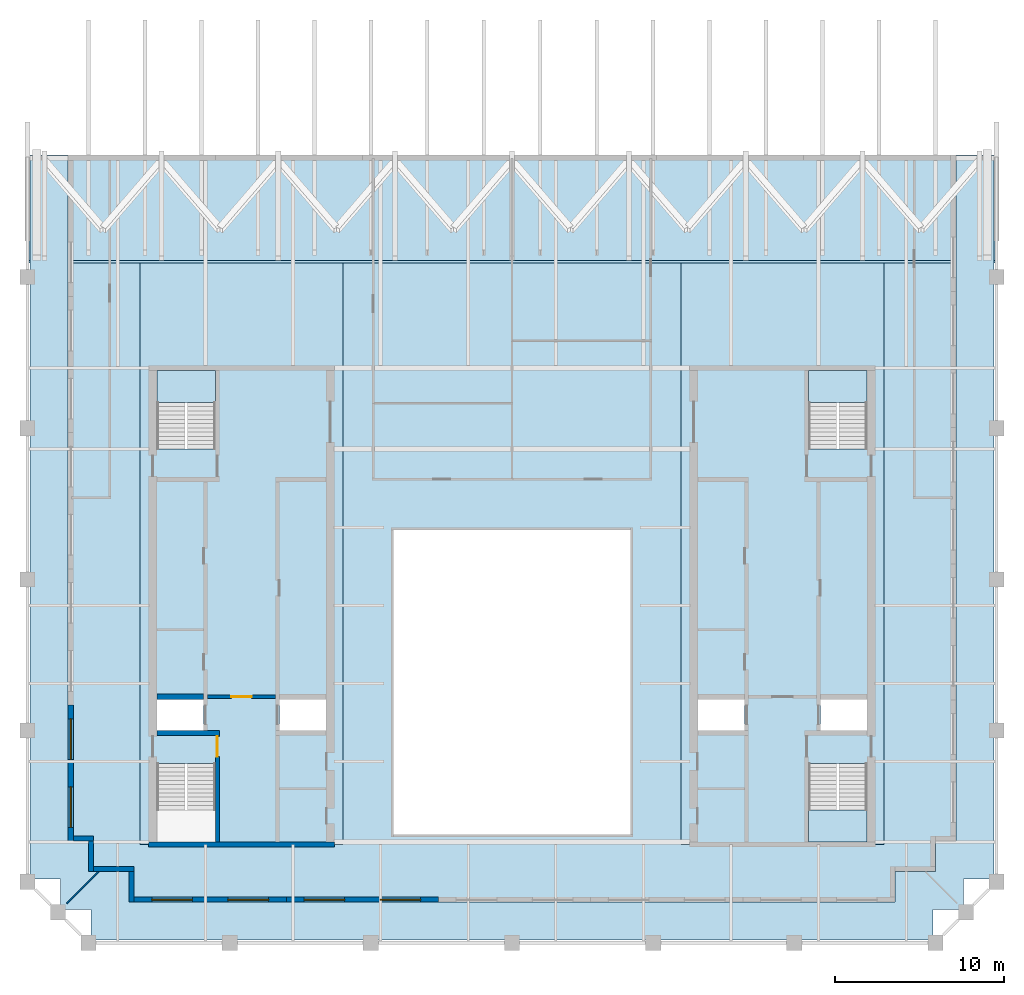
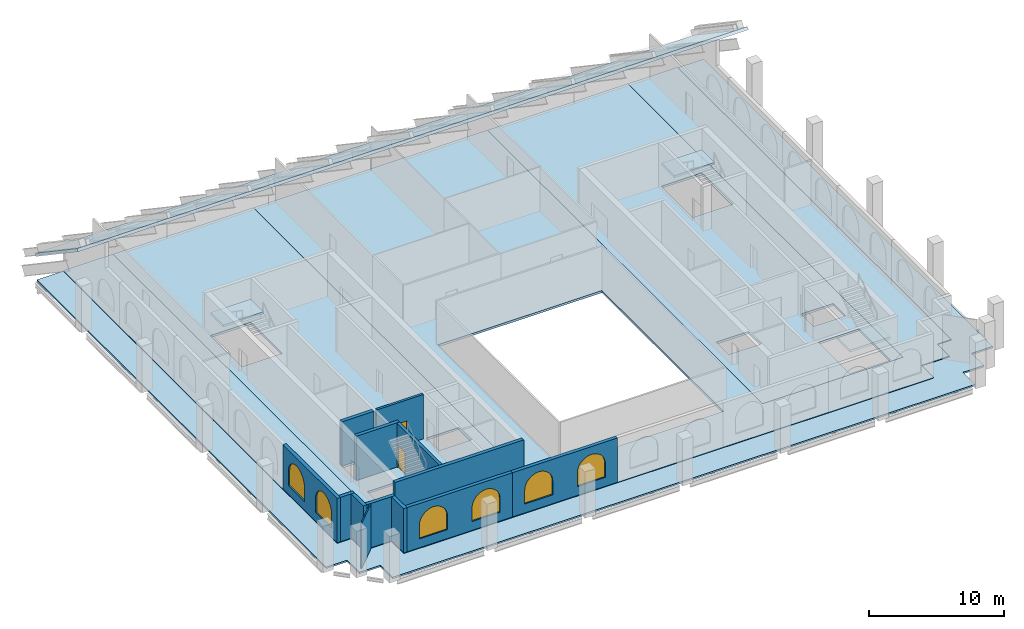
# One storey, part 2 of 8: 13 walls, 8 slabs, 6 windows, 2 doors, 8 openings, 3 elements without a shape of their own.
"""IFC4 building model written with IfcOpenShell, lengths in metres."""

from ifc_helpers import new_model, si_unit, direction, frame, frame_2d, origin, place, context, subcontext, project, spatial, polyline, rectangle, outline, extrude, material, layer, layer_set, type_object, element, fill, aggregate, save


model = new_model("IFC4")

# Units and contexts
model_context = context("Model", 3, precision=1e-05, world=origin(), true_north=direction((0.0, 1.0)))
body_context = subcontext(model_context, "Body", "Model", "MODEL_VIEW")
ifc_project = project(units=[si_unit("LENGTHUNIT", "METRE"), si_unit("AREAUNIT", "SQUARE_METRE"), si_unit("VOLUMEUNIT", "CUBIC_METRE"), si_unit("PLANEANGLEUNIT", "RADIAN"), si_unit("MASSUNIT", "GRAM", prefix="KILO")], contexts=[model_context])

# Site, building, storey
site_placement = place(None, origin())
site = spatial("IfcSite", under=ifc_project, at=site_placement, CompositionType="ELEMENT")
building_placement = place(site_placement, origin())
building = spatial("IfcBuilding", under=site, at=building_placement, Name="Ogive Exchange Tower", CompositionType="ELEMENT")
storey_placement = place(building_placement, frame((0.0, 0.0, 381.60009765625)))
storey = spatial("IfcBuildingStorey", under=building, at=storey_placement, Name="C04", CompositionType="ELEMENT", Elevation=381.60009765625)

# Slabs
ifc_material_1 = material(Name="Concrete C50/60", Category="concrete")
ifc_layer_1 = layer(ifc_material_1, 0.199951171875)
ifc_layer_set_1 = layer_set([ifc_layer_1], Name="Composite floor slab 200")
slab_type_1 = type_object("IfcSlabType", Name="Composite floor slab 200", PredefinedType="FLOOR", material=ifc_layer_set_1)
slab_1_placement = place(storey_placement, frame((0.0, 0.0, -0.2001953125)))
element("IfcSlab", 1, at=slab_1_placement, inside=storey, type_object=slab_type_1, Name="Composite floor slab", PredefinedType="FLOOR", context=body_context, shape_type="SweptSolid", body=[
    extrude(outline(polyline([(-24.449951171875, -2.39990234375), (-24.449951171875, -2.39990234375), (-26.25, -2.39990234375), (-26.25, 38.17431640625), (-22.0, 38.17431640625), (-22.0, -2.60009765625), (-10.0, -2.60009765625), (-10.0, 38.17431640625), (10.0, 38.17431640625), (10.0, -2.60009765625), (22.0, -2.60009765625), (22.0, 38.17431640625), (26.25, 38.17431640625), (26.25, -2.39990234375), (24.449951171875, -2.39990234375), (24.449951171875, -2.39990234375), (25.050048828125, -2.39990234375), (25.050048828125, -4.199951171875), (24.449951171875, -4.199951171875), (24.449951171875, -4.199951171875), (22.64990234375, -4.199951171875), (22.64990234375, -6.0), (-22.64990234375, -6.0), (-22.64990234375, -4.199951171875), (-24.449951171875, -4.199951171875), (-24.449951171875, -4.199951171875), (-25.050048828125, -4.199951171875), (-25.050048828125, -2.39990234375), (-24.449951171875, -2.39990234375)]), holes=[polyline([(7.0, -2.0), (7.0, 16.0), (-7.0, 16.0), (-7.0, -2.0), (7.0, -2.0)])]), origin(), (0.0, 0.0, 1.0), 0.2001953125),
])
ifc_material_2 = material(Name="Concrete C70/85", Category="concrete")
ifc_layer_2 = layer(ifc_material_2, 0.199951171875)
ifc_layer_set_2 = layer_set([ifc_layer_2], Name="Core floor slab 200")
slab_type_2 = type_object("IfcSlabType", Name="Core floor slab 200", PredefinedType="FLOOR", material=ifc_layer_set_2)
slab_2_placement = place(storey_placement, frame((0.0, 0.0, -0.2001953125)))
element("IfcSlab", 2, at=slab_2_placement, inside=storey, type_object=slab_type_2, Name="Core floor slab", PredefinedType="FLOOR", context=body_context, shape_type="SweptSolid", body=[
    extrude(outline(polyline([(-22.0, -2.60009765625), (-22.0, 38.17431640625), (-10.0, 38.17431640625), (-10.0, -2.60009765625), (-22.0, -2.60009765625)]), holes=[polyline([(-17.550048828125, 2.196044921875), (-21.0, 2.196044921875), (-21.0, -2.449951171875), (-17.550048828125, -2.449951171875), (-17.550048828125, 2.196044921875)]), polyline([(-21.0, 5.992919921875), (-21.0, 4.14990234375), (-18.25, 4.14990234375), (-18.25, 5.992919921875), (-21.0, 5.992919921875)]), polyline([(-13.75, 5.992919921875), (-13.75, 4.14990234375), (-11.0, 4.14990234375), (-11.0, 5.992919921875), (-13.75, 5.992919921875)]), polyline([(-21.0, 20.803955078125), (-17.550048828125, 20.803955078125), (-17.550048828125, 25.449951171875), (-21.0, 25.449951171875), (-21.0, 20.803955078125)])]), origin(), (0.0, 0.0, 1.0), 0.2001953125),
])
slab_3_placement = place(storey_placement, frame((0.0, 0.0, -0.2001953125)))
element("IfcSlab", 3, at=slab_3_placement, inside=storey, type_object=slab_type_2, Name="Core floor slab", PredefinedType="FLOOR", context=body_context, shape_type="SweptSolid", body=[
    extrude(outline(polyline([(10.0, -2.60009765625), (10.0, 38.17431640625), (22.0, 38.17431640625), (22.0, -2.60009765625), (10.0, -2.60009765625)]), holes=[polyline([(21.0, 2.196044921875), (17.550048828125, 2.196044921875), (17.550048828125, -2.449951171875), (21.0, -2.449951171875), (21.0, 2.196044921875)]), polyline([(11.0, 5.992919921875), (11.0, 4.14990234375), (13.75, 4.14990234375), (13.75, 5.992919921875), (11.0, 5.992919921875)]), polyline([(18.25, 5.992919921875), (18.25, 4.14990234375), (21.0, 4.14990234375), (21.0, 5.992919921875), (18.25, 5.992919921875)]), polyline([(17.550048828125, 20.803955078125), (21.0, 20.803955078125), (21.0, 25.449951171875), (17.550048828125, 25.449951171875), (17.550048828125, 20.803955078125)])]), origin(), (0.0, 0.0, 1.0), 0.2001953125),
])
ifc_material_3 = material(Name="Precast concrete C40/50", Category="concrete")
ifc_layer_3 = layer(ifc_material_3, 0.25)
ifc_layer_set_3 = layer_set([ifc_layer_3], Name="Crown roof plane 250")
slab_type_3 = type_object("IfcSlabType", Name="Crown roof plane 250", PredefinedType="ROOF", material=ifc_layer_set_3)
slab_4_placement = place(storey_placement, frame((-28.64990234375, 31.947509765625, 6.599853515625), z_axis=(0.0, 0.559185313762, 0.829042691827), x_axis=(0.0, 0.829042691827, -0.559185313762)))
element("IfcSlab", 4, at=slab_4_placement, inside=storey, type_object=slab_type_3, Name="Crown roof plane", PredefinedType="ROOF", context=body_context, shape_type="SweptSolid", body=[
    extrude(outline(polyline([(0.0, 0.0), (7.5108395526642555, 0.0), (7.5108395526642555, -57.2998046875), (0.0, -57.2998046875), (0.0, 0.0)])), origin(), (0.0, 0.0, -1.0), 0.25),
])
ifc_layer_4 = layer(ifc_material_1, 0.14990234375)
ifc_layer_set_4 = layer_set([ifc_layer_4], Name="Loggia deck 150")
slab_type_4 = type_object("IfcSlabType", Name="Loggia deck 150", PredefinedType="FLOOR", material=ifc_layer_set_4)
slab_5_placement = place(storey_placement, frame((0.0, 0.0, -0.2001953125)))
element("IfcSlab", 5, at=slab_5_placement, inside=storey, type_object=slab_type_4, Name="Loggia deck", PredefinedType="FLOOR", context=body_context, shape_type="SweptSolid", body=[
    extrude(outline(polyline([(-26.695068359375, -4.64501953125), (-28.4951171875, -4.64501953125), (-28.4951171875, 38.17431640625), (-26.25, 38.17431640625), (-26.25, -2.39990234375), (-24.449951171875, -2.39990234375), (-24.449951171875, -2.39990234375), (-25.050048828125, -2.39990234375), (-25.050048828125, -4.199951171875), (-24.449951171875, -4.199951171875), (-24.449951171875, -4.199951171875), (-22.64990234375, -4.199951171875), (-22.64990234375, -6.0), (22.64990234375, -6.0), (22.64990234375, -4.199951171875), (24.449951171875, -4.199951171875), (24.449951171875, -4.199951171875), (25.050048828125, -4.199951171875), (25.050048828125, -2.39990234375), (24.449951171875, -2.39990234375), (24.449951171875, -2.39990234375), (26.25, -2.39990234375), (26.25, 38.17431640625), (28.4951171875, 38.17431640625), (28.4951171875, -4.64501953125), (26.695068359375, -4.64501953125), (26.695068359375, -6.445068359375), (24.89501953125, -6.445068359375), (24.89501953125, -8.2451171875), (-24.89501953125, -8.2451171875), (-24.89501953125, -6.445068359375), (-26.695068359375, -6.445068359375), (-26.695068359375, -4.64501953125)])), origin(), (0.0, 0.0, 1.0), 0.150146484375),
])

# Stair, slab
ifc_material_4 = material(Name="Concrete C40/50", Category="concrete")
stair_type = type_object("IfcStairType", Name="Exit stair 1650 wide", PredefinedType="HALF_TURN_STAIR", material=ifc_material_4)
stair_1_placement = place(storey_placement, origin())
stair_1 = element("IfcStair", 6, at=stair_1_placement, inside=storey, type_object=stair_type, Name="C04 exit stair ST2", PredefinedType="HALF_TURN_STAIR")
ifc_layer_5 = layer(ifc_material_4, 0.199951171875)
ifc_layer_set_5 = layer_set([ifc_layer_5], Name="Stair landing 200 slab")
slab_type_5 = type_object("IfcSlabType", Name="Stair landing 200 slab", PredefinedType="LANDING", material=ifc_layer_set_5)
slab_6_placement = place(storey_placement, frame((0.0, 0.0, 1.89990234375)))
slab_6 = element("IfcSlab", 7, at=slab_6_placement, type_object=slab_type_5, Name="ST2 landing 1", PredefinedType="LANDING", context=body_context, shape_type="SweptSolid", body=[
    extrude(outline(polyline([(-17.550048828125, 23.550048828125), (-17.550048828125, 25.449951171875), (-21.0, 25.449951171875), (-21.0, 23.550048828125), (-17.550048828125, 23.550048828125)])), origin(), (0.0, 0.0, 1.0), 0.199951171875),
])
aggregate(stair_1, [slab_6])

stair_2_placement = place(storey_placement, origin())
stair_2 = element("IfcStair", 8, at=stair_2_placement, inside=storey, type_object=stair_type, Name="C04 exit stair ST3", PredefinedType="HALF_TURN_STAIR")
slab_7_placement = place(storey_placement, frame((0.0, 0.0, 1.89990234375)))
slab_7 = element("IfcSlab", 9, at=slab_7_placement, type_object=slab_type_5, Name="ST3 landing 1", PredefinedType="LANDING", context=body_context, shape_type="SweptSolid", body=[
    extrude(outline(polyline([(17.550048828125, -0.550048828125), (17.550048828125, -2.449951171875), (21.0, -2.449951171875), (21.0, -0.550048828125), (17.550048828125, -0.550048828125)])), origin(), (0.0, 0.0, 1.0), 0.199951171875),
])
aggregate(stair_2, [slab_7])

stair_3_placement = place(storey_placement, origin())
stair_3 = element("IfcStair", 10, at=stair_3_placement, inside=storey, type_object=stair_type, Name="C04 exit stair ST4", PredefinedType="HALF_TURN_STAIR")
slab_8_placement = place(storey_placement, frame((0.0, 0.0, 1.89990234375)))
slab_8 = element("IfcSlab", 11, at=slab_8_placement, type_object=slab_type_5, Name="ST4 landing 1", PredefinedType="LANDING", context=body_context, shape_type="SweptSolid", body=[
    extrude(outline(polyline([(21.0, 23.550048828125), (21.0, 25.449951171875), (17.550048828125, 25.449951171875), (17.550048828125, 23.550048828125), (21.0, 23.550048828125)])), origin(), (0.0, 0.0, 1.0), 0.199951171875),
])
aggregate(stair_3, [slab_8])

# Wall
ifc_material_5 = material(Name="Laminated safety glass in steel frame", Category="steel")
ifc_layer_6 = layer(ifc_material_5, 0.10009765625)
ifc_layer_set_6 = layer_set([ifc_layer_6], Name="Loggia end screen 100")
wall_type_1 = type_object("IfcWallType", Name="Loggia end screen 100", PredefinedType="STANDARD", material=ifc_layer_set_6)
wall_1_placement = place(storey_placement, frame((-24.449951171875, -4.199951171875, -0.050048828125), z_axis=(0.0, 0.0, 1.0), x_axis=(-0.707106781187, -0.707106781187, 0.0)))
element("IfcWall", 12, at=wall_1_placement, inside=storey, type_object=wall_type_1, Name="Loggia end screen C4", PredefinedType="STANDARD", context=body_context, shape_type="SweptSolid", body=[
    extrude(rectangle(XDim=2.667236328125, YDim=0.10009765625, at=frame_2d((1.33349609375, 0.0))), origin(), (0.0, 0.0, 1.0), 4.050048828125),
])

# Wall, opening, door
ifc_layer_7 = layer(ifc_material_2, 0.199951171875)
ifc_layer_set_7 = layer_set([ifc_layer_7], Name="RC core wall 200 C70/85")
wall_type_2 = type_object("IfcWallType", Name="RC core wall 200 C70/85", PredefinedType="SHEAR", material=ifc_layer_set_7)
wall_2_placement = place(storey_placement, frame((-18.0, 6.142822265625, 0.0), z_axis=(0.0, 0.0, 1.0), x_axis=(1.0, 0.0, 0.0)))
wall_2 = element("IfcWall", 13, at=wall_2_placement, inside=storey, type_object=wall_type_2, Name="W firefighting lobby wall", PredefinedType="SHEAR", context=body_context, shape_type="SweptSolid", body=[
    extrude(rectangle(XDim=4.0, YDim=0.199951171875, at=frame_2d((2.0, 0.0))), origin(), (0.0, 0.0, 1.0), 4.0),
])
opening_1_placement = place(wall_2_placement, frame((1.39990234375, 0.0, 0.0)))
opening_1 = element("IfcOpeningElement", 14, at=opening_1_placement, cuts=wall_2, Name="Opening C04-C06", PredefinedType="OPENING", context=body_context, shape_type="SweptSolid", body=[
    extrude(rectangle(XDim=1.199951171875, YDim=2.10009765625, at=frame_2d((0.60009765625, 1.050048828125))), frame((0.0, 0.10986328125, 0.0), z_axis=(0.0, -1.0, 0.0), x_axis=(1.0, 0.0, 0.0)), (0.0, 0.0, 1.0), 0.219970703125),
])
ifc_material_6 = material(Name="Steel fire door", Category="steel")
door_type_1 = type_object("IfcDoorType", Name="Firefighting lobby door FD60 1200 x 2100", OperationType="NOTDEFINED", PredefinedType="DOOR", material=ifc_material_6)
door_1_placement = place(opening_1_placement, frame((1.199951171875, 0.0, 0.0), z_axis=(0.0, 0.0, 1.0), x_axis=(-1.0, 0.0, 0.0)))
door_1 = element("IfcDoor", 15, at=door_1_placement, inside=storey, type_object=door_type_1, Name="Firefighting lobby door", ObjectType="CD3", OperationType="SINGLE_SWING_RIGHT", OverallHeight=2.10009765625, OverallWidth=1.199951171875, PredefinedType="DOOR", context=body_context, shape_type="SweptSolid", body=[
    extrude(rectangle(XDim=1.199951171875, YDim=2.10009765625, at=frame_2d((0.60009765625, 1.050048828125))), frame((0.0, 0.02490234375, 0.0), z_axis=(0.0, -1.0, 0.0), x_axis=(1.0, 0.0, 0.0)), (0.0, 0.0, 1.0), 0.050048828125),
])
fill(opening_1, door_1)

ifc_layer_8 = layer(ifc_material_2, 0.25)
ifc_layer_set_8 = layer_set([ifc_layer_8], Name="RC core wall 250 C70/85")
wall_type_3 = type_object("IfcWallType", Name="RC core wall 250 C70/85", PredefinedType="SHEAR", material=ifc_layer_set_8)
wall_3_placement = place(storey_placement, frame((-17.425048828125, -2.449951171875, 0.0), z_axis=(0.0, 0.0, 1.0), x_axis=(0.0, 1.0, 0.0)))
wall_3 = element("IfcWall", 16, at=wall_3_placement, inside=storey, type_object=wall_type_3, Name="W stair S front wall", PredefinedType="SHEAR", context=body_context, shape_type="SweptSolid", body=[
    extrude(rectangle(XDim=6.300048828125, YDim=0.25, at=frame_2d((3.14990234375, 0.0))), origin(), (0.0, 0.0, 1.0), 4.0),
])
opening_2_placement = place(wall_3_placement, frame((5.050048828125, 0.0, 0.0)))
opening_2 = element("IfcOpeningElement", 17, at=opening_2_placement, cuts=wall_3, Name="Opening C04-C08", PredefinedType="OPENING", context=body_context, shape_type="SweptSolid", body=[
    extrude(rectangle(XDim=1.199951171875, YDim=2.10009765625, at=frame_2d((0.60009765625, 1.050048828125))), frame((0.0, 0.135009765625, 0.0), z_axis=(0.0, -1.0, 0.0), x_axis=(1.0, 0.0, 0.0)), (0.0, 0.0, 1.0), 0.27001953125),
])
door_type_2 = type_object("IfcDoorType", Name="Stair door FD90 1200 x 2100", OperationType="NOTDEFINED", PredefinedType="DOOR", material=ifc_material_6)
door_2_placement = place(opening_2_placement, origin())
door_2 = element("IfcDoor", 18, at=door_2_placement, inside=storey, type_object=door_type_2, Name="Stair door", ObjectType="CD5", OperationType="SINGLE_SWING_LEFT", OverallHeight=2.10009765625, OverallWidth=1.199951171875, PredefinedType="DOOR", context=body_context, shape_type="SweptSolid", body=[
    extrude(rectangle(XDim=1.199951171875, YDim=2.10009765625, at=frame_2d((0.60009765625, 1.050048828125))), frame((0.0, 0.02490234375, 0.0), z_axis=(0.0, -1.0, 0.0), x_axis=(1.0, 0.0, 0.0)), (0.0, 0.0, 1.0), 0.050048828125),
])
fill(opening_2, door_2)

# Walls
ifc_layer_9 = layer(ifc_material_2, 0.300048828125)
ifc_layer_set_9 = layer_set([ifc_layer_9], Name="RC core wall 300 C70/85")
wall_type_4 = type_object("IfcWallType", Name="RC core wall 300 C70/85", PredefinedType="SHEAR", material=ifc_layer_set_9)
wall_4_placement = place(storey_placement, frame((-21.5, -2.60009765625, 0.0), z_axis=(0.0, 0.0, 1.0), x_axis=(1.0, 0.0, 0.0)))
element("IfcWall", 19, at=wall_4_placement, inside=storey, type_object=wall_type_4, Name="W south end wall", PredefinedType="SHEAR", context=body_context, shape_type="SweptSolid", body=[
    extrude(rectangle(XDim=11.0, YDim=0.300048828125, at=frame_2d((5.5, 0.0))), origin(), (0.0, 0.0, 1.0), 4.0),
])
wall_5_placement = place(storey_placement, frame((-21.0, 4.0, 0.0), z_axis=(0.0, 0.0, 1.0), x_axis=(1.0, 0.0, 0.0)))
element("IfcWall", 20, at=wall_5_placement, inside=storey, type_object=wall_type_4, Name="W stair S north wall", PredefinedType="SHEAR", context=body_context, shape_type="SweptSolid", body=[
    extrude(rectangle(XDim=3.699951171875, YDim=0.300048828125, at=frame_2d((1.85009765625, 0.0))), origin(), (0.0, 0.0, 1.0), 4.0),
])
wall_6_placement = place(storey_placement, frame((-21.0, 6.142822265625, 0.0), z_axis=(0.0, 0.0, 1.0), x_axis=(1.0, 0.0, 0.0)))
element("IfcWall", 21, at=wall_6_placement, inside=storey, type_object=wall_type_4, Name="W row A divider 1", PredefinedType="SHEAR", context=body_context, shape_type="SweptSolid", body=[
    extrude(rectangle(XDim=2.75, YDim=0.300048828125, at=frame_2d((1.375, 0.0))), origin(), (0.0, 0.0, 1.0), 4.0),
])
ifc_layer_10 = layer(ifc_material_3, 0.300048828125)
ifc_layer_set_10 = layer_set([ifc_layer_10], Name="Zinc-clad crown wall 300")
wall_type_5 = type_object("IfcWallType", Name="Zinc-clad crown wall 300", PredefinedType="STANDARD", material=ifc_layer_set_10)
wall_7_placement = place(storey_placement, frame((-24.89990234375, -2.39990234375, 0.0), z_axis=(0.0, 0.0, 1.0), x_axis=(0.0, -1.0, 0.0)))
element("IfcWall", 22, at=wall_7_placement, inside=storey, type_object=wall_type_5, Name="Crown wall 1", PredefinedType="STANDARD", context=body_context, shape_type="SweptSolid", body=[
    extrude(rectangle(XDim=1.800048828125, YDim=0.300048828125, at=frame_2d((0.89990234375, 0.0))), origin(), (0.0, 0.0, 1.0), 4.0),
])
wall_8_placement = place(storey_placement, frame((-24.75, -4.050048828125, 0.0), z_axis=(0.0, 0.0, 1.0), x_axis=(1.0, 0.0, 0.0)))
element("IfcWall", 23, at=wall_8_placement, inside=storey, type_object=wall_type_5, Name="Crown wall 2", PredefinedType="STANDARD", context=body_context, shape_type="SweptSolid", body=[
    extrude(rectangle(XDim=2.39990234375, YDim=0.300048828125, at=frame_2d((1.199951171875, 0.0))), origin(), (0.0, 0.0, 1.0), 4.0),
])
wall_9_placement = place(storey_placement, frame((-22.5, -4.199951171875, 0.0), z_axis=(0.0, 0.0, 1.0), x_axis=(0.0, -1.0, 0.0)))
element("IfcWall", 24, at=wall_9_placement, inside=storey, type_object=wall_type_5, Name="Crown wall 3", PredefinedType="STANDARD", context=body_context, shape_type="SweptSolid", body=[
    extrude(rectangle(XDim=1.800048828125, YDim=0.300048828125, at=frame_2d((0.89990234375, 0.0))), origin(), (0.0, 0.0, 1.0), 4.0),
])

# Wall, openings, windows
wall_10_placement = place(storey_placement, frame((-22.35009765625, -5.85009765625, 0.0), z_axis=(0.0, 0.0, 1.0), x_axis=(1.0, 0.0, 0.0)))
wall_10 = element("IfcWall", 25, at=wall_10_placement, inside=storey, type_object=wall_type_5, Name="Crown wall 4", PredefinedType="STANDARD", context=body_context, shape_type="SweptSolid", body=[
    extrude(rectangle(XDim=9.0, YDim=0.300048828125, at=frame_2d((4.5, 0.0))), origin(), (0.0, 0.0, 1.0), 4.0),
])
opening_3_placement = place(wall_10_placement, frame((1.050048828125, 0.0, 0.800048828125)))
opening_3 = element("IfcOpeningElement", 26, at=opening_3_placement, cuts=wall_10, Name="Opening WC25", PredefinedType="OPENING", context=body_context, shape_type="SweptSolid", body=[
    extrude(outline(polyline([(0.0, 0.0), (2.39990234375, 0.0), (2.39990234375, 1.25), (2.377197265625, 1.48779296875), (2.3095703125, 1.717041015625), (2.19970703125, 1.928955078125), (2.05126953125, 2.116455078125), (1.8701171875, 2.272216796875), (1.662841796875, 2.390625), (1.4365234375, 2.467529296875), (1.199951171875, 2.5), (0.96337890625, 2.467529296875), (0.737060546875, 2.390625), (0.52978515625, 2.272216796875), (0.3486328125, 2.116455078125), (0.2001953125, 1.928955078125), (0.09033203125, 1.717041015625), (0.022705078125, 1.48779296875), (0.0, 1.25), (0.0, 0.0)])), frame((0.0, 0.159912109375, 0.0), z_axis=(0.0, -1.0, 0.0), x_axis=(1.0, 0.0, 0.0)), (0.0, 0.0, 1.0), 0.320068359375),
])
opening_4_placement = place(wall_10_placement, frame((5.550048828125, 0.0, 0.800048828125)))
opening_4 = element("IfcOpeningElement", 27, at=opening_4_placement, cuts=wall_10, Name="Opening WC25", PredefinedType="OPENING", context=body_context, shape_type="SweptSolid", body=[
    extrude(outline(polyline([(0.0, 0.0), (2.39990234375, 0.0), (2.39990234375, 1.25), (2.377197265625, 1.48779296875), (2.3095703125, 1.717041015625), (2.19970703125, 1.928955078125), (2.05126953125, 2.116455078125), (1.8701171875, 2.272216796875), (1.662841796875, 2.390625), (1.4365234375, 2.467529296875), (1.199951171875, 2.5), (0.96337890625, 2.467529296875), (0.737060546875, 2.390625), (0.52978515625, 2.272216796875), (0.3486328125, 2.116455078125), (0.2001953125, 1.928955078125), (0.09033203125, 1.717041015625), (0.022705078125, 1.48779296875), (0.0, 1.25), (0.0, 0.0)])), frame((0.0, 0.159912109375, 0.0), z_axis=(0.0, -1.0, 0.0), x_axis=(1.0, 0.0, 0.0)), (0.0, 0.0, 1.0), 0.320068359375),
])
ifc_material_7 = material(Name="Clear glass in bronze frame", Category="glass")
window_type = type_object("IfcWindowType", Name="Crown lancet window 2400 x 2500", PartitioningType="DOUBLE_PANEL_VERTICAL", PredefinedType="WINDOW", material=ifc_material_7)
window_1_placement = place(opening_3_placement, origin())
window_1 = element("IfcWindow", 28, at=window_1_placement, inside=storey, type_object=window_type, Name="Crown lancet 4.1", OverallHeight=2.5, OverallWidth=2.39990234375, PartitioningType="DOUBLE_PANEL_VERTICAL", PredefinedType="WINDOW", context=body_context, shape_type="SweptSolid", body=[
    extrude(outline(polyline([(0.0, 0.0), (2.39990234375, 0.0), (2.39990234375, 1.25), (2.377197265625, 1.48779296875), (2.3095703125, 1.717041015625), (2.19970703125, 1.928955078125), (2.05126953125, 2.116455078125), (1.8701171875, 2.272216796875), (1.662841796875, 2.390625), (1.4365234375, 2.467529296875), (1.199951171875, 2.5), (0.96337890625, 2.467529296875), (0.737060546875, 2.390625), (0.52978515625, 2.272216796875), (0.3486328125, 2.116455078125), (0.2001953125, 1.928955078125), (0.09033203125, 1.717041015625), (0.022705078125, 1.48779296875), (0.0, 1.25), (0.0, 0.0)])), frame((0.0, 0.030029296875, 0.0), z_axis=(0.0, -1.0, 0.0), x_axis=(1.0, 0.0, 0.0)), (0.0, 0.0, 1.0), 0.06005859375),
])
fill(opening_3, window_1)
window_2_placement = place(opening_4_placement, origin())
window_2 = element("IfcWindow", 29, at=window_2_placement, inside=storey, type_object=window_type, Name="Crown lancet 4.2", OverallHeight=2.5, OverallWidth=2.39990234375, PartitioningType="DOUBLE_PANEL_VERTICAL", PredefinedType="WINDOW", context=body_context, shape_type="SweptSolid", body=[
    extrude(outline(polyline([(0.0, 0.0), (2.39990234375, 0.0), (2.39990234375, 1.25), (2.377197265625, 1.48779296875), (2.3095703125, 1.717041015625), (2.19970703125, 1.928955078125), (2.05126953125, 2.116455078125), (1.8701171875, 2.272216796875), (1.662841796875, 2.390625), (1.4365234375, 2.467529296875), (1.199951171875, 2.5), (0.96337890625, 2.467529296875), (0.737060546875, 2.390625), (0.52978515625, 2.272216796875), (0.3486328125, 2.116455078125), (0.2001953125, 1.928955078125), (0.09033203125, 1.717041015625), (0.022705078125, 1.48779296875), (0.0, 1.25), (0.0, 0.0)])), frame((0.0, 0.030029296875, 0.0), z_axis=(0.0, -1.0, 0.0), x_axis=(1.0, 0.0, 0.0)), (0.0, 0.0, 1.0), 0.06005859375),
])
fill(opening_4, window_2)

wall_11_placement = place(storey_placement, frame((-13.35009765625, -5.85009765625, 0.0), z_axis=(0.0, 0.0, 1.0), x_axis=(1.0, 0.0, 0.0)))
wall_11 = element("IfcWall", 30, at=wall_11_placement, inside=storey, type_object=wall_type_5, Name="Crown wall 5", PredefinedType="STANDARD", context=body_context, shape_type="SweptSolid", body=[
    extrude(rectangle(XDim=9.0, YDim=0.300048828125, at=frame_2d((4.5, 0.0))), origin(), (0.0, 0.0, 1.0), 4.0),
])
opening_5_placement = place(wall_11_placement, frame((1.050048828125, 0.0, 0.800048828125)))
opening_5 = element("IfcOpeningElement", 31, at=opening_5_placement, cuts=wall_11, Name="Opening WC25", PredefinedType="OPENING", context=body_context, shape_type="SweptSolid", body=[
    extrude(outline(polyline([(0.0, 0.0), (2.39990234375, 0.0), (2.39990234375, 1.25), (2.377197265625, 1.48779296875), (2.3095703125, 1.717041015625), (2.19970703125, 1.928955078125), (2.05126953125, 2.116455078125), (1.8701171875, 2.272216796875), (1.662841796875, 2.390625), (1.4365234375, 2.467529296875), (1.199951171875, 2.5), (0.96337890625, 2.467529296875), (0.737060546875, 2.390625), (0.52978515625, 2.272216796875), (0.3486328125, 2.116455078125), (0.2001953125, 1.928955078125), (0.09033203125, 1.717041015625), (0.022705078125, 1.48779296875), (0.0, 1.25), (0.0, 0.0)])), frame((0.0, 0.159912109375, 0.0), z_axis=(0.0, -1.0, 0.0), x_axis=(1.0, 0.0, 0.0)), (0.0, 0.0, 1.0), 0.320068359375),
])
opening_6_placement = place(wall_11_placement, frame((5.550048828125, 0.0, 0.800048828125)))
opening_6 = element("IfcOpeningElement", 32, at=opening_6_placement, cuts=wall_11, Name="Opening WC25", PredefinedType="OPENING", context=body_context, shape_type="SweptSolid", body=[
    extrude(outline(polyline([(0.0, 0.0), (2.39990234375, 0.0), (2.39990234375, 1.25), (2.377197265625, 1.48779296875), (2.3095703125, 1.717041015625), (2.19970703125, 1.928955078125), (2.05126953125, 2.116455078125), (1.8701171875, 2.272216796875), (1.662841796875, 2.390625), (1.4365234375, 2.467529296875), (1.199951171875, 2.5), (0.96337890625, 2.467529296875), (0.737060546875, 2.390625), (0.52978515625, 2.272216796875), (0.3486328125, 2.116455078125), (0.2001953125, 1.928955078125), (0.09033203125, 1.717041015625), (0.022705078125, 1.48779296875), (0.0, 1.25), (0.0, 0.0)])), frame((0.0, 0.159912109375, 0.0), z_axis=(0.0, -1.0, 0.0), x_axis=(1.0, 0.0, 0.0)), (0.0, 0.0, 1.0), 0.320068359375),
])
window_3_placement = place(opening_5_placement, origin())
window_3 = element("IfcWindow", 33, at=window_3_placement, inside=storey, type_object=window_type, Name="Crown lancet 5.1", OverallHeight=2.5, OverallWidth=2.39990234375, PartitioningType="DOUBLE_PANEL_VERTICAL", PredefinedType="WINDOW", context=body_context, shape_type="SweptSolid", body=[
    extrude(outline(polyline([(0.0, 0.0), (2.39990234375, 0.0), (2.39990234375, 1.25), (2.377197265625, 1.48779296875), (2.3095703125, 1.717041015625), (2.19970703125, 1.928955078125), (2.05126953125, 2.116455078125), (1.8701171875, 2.272216796875), (1.662841796875, 2.390625), (1.4365234375, 2.467529296875), (1.199951171875, 2.5), (0.96337890625, 2.467529296875), (0.737060546875, 2.390625), (0.52978515625, 2.272216796875), (0.3486328125, 2.116455078125), (0.2001953125, 1.928955078125), (0.09033203125, 1.717041015625), (0.022705078125, 1.48779296875), (0.0, 1.25), (0.0, 0.0)])), frame((0.0, 0.030029296875, 0.0), z_axis=(0.0, -1.0, 0.0), x_axis=(1.0, 0.0, 0.0)), (0.0, 0.0, 1.0), 0.06005859375),
])
fill(opening_5, window_3)
window_4_placement = place(opening_6_placement, origin())
window_4 = element("IfcWindow", 34, at=window_4_placement, inside=storey, type_object=window_type, Name="Crown lancet 5.2", OverallHeight=2.5, OverallWidth=2.39990234375, PartitioningType="DOUBLE_PANEL_VERTICAL", PredefinedType="WINDOW", context=body_context, shape_type="SweptSolid", body=[
    extrude(outline(polyline([(0.0, 0.0), (2.39990234375, 0.0), (2.39990234375, 1.25), (2.377197265625, 1.48779296875), (2.3095703125, 1.717041015625), (2.19970703125, 1.928955078125), (2.05126953125, 2.116455078125), (1.8701171875, 2.272216796875), (1.662841796875, 2.390625), (1.4365234375, 2.467529296875), (1.199951171875, 2.5), (0.96337890625, 2.467529296875), (0.737060546875, 2.390625), (0.52978515625, 2.272216796875), (0.3486328125, 2.116455078125), (0.2001953125, 1.928955078125), (0.09033203125, 1.717041015625), (0.022705078125, 1.48779296875), (0.0, 1.25), (0.0, 0.0)])), frame((0.0, 0.030029296875, 0.0), z_axis=(0.0, -1.0, 0.0), x_axis=(1.0, 0.0, 0.0)), (0.0, 0.0, 1.0), 0.06005859375),
])
fill(opening_6, window_4)

wall_12_placement = place(storey_placement, frame((-26.10009765625, 5.65478515625, 0.0), z_axis=(0.0, 0.0, 1.0), x_axis=(0.0, -1.0, 0.0)))
wall_12 = element("IfcWall", 35, at=wall_12_placement, inside=storey, type_object=wall_type_5, Name="Crown wall 28", PredefinedType="STANDARD", context=body_context, shape_type="SweptSolid", body=[
    extrude(rectangle(XDim=8.0546875, YDim=0.300048828125, at=frame_2d((4.02734375, 0.0))), origin(), (0.0, 0.0, 1.0), 4.0),
])
opening_7_placement = place(wall_12_placement, frame((0.813720703125, 0.0, 0.800048828125)))
opening_7 = element("IfcOpeningElement", 36, at=opening_7_placement, cuts=wall_12, Name="Opening WC25", PredefinedType="OPENING", context=body_context, shape_type="SweptSolid", body=[
    extrude(outline(polyline([(0.0, 0.0), (2.39990234375, 0.0), (2.39990234375, 1.25), (2.377197265625, 1.48779296875), (2.3095703125, 1.717041015625), (2.19970703125, 1.928955078125), (2.05126953125, 2.116455078125), (1.8701171875, 2.272216796875), (1.662841796875, 2.390625), (1.4365234375, 2.467529296875), (1.199951171875, 2.5), (0.96337890625, 2.467529296875), (0.737060546875, 2.390625), (0.52978515625, 2.272216796875), (0.3486328125, 2.116455078125), (0.2001953125, 1.928955078125), (0.09033203125, 1.717041015625), (0.022705078125, 1.48779296875), (0.0, 1.25), (0.0, 0.0)])), frame((0.0, 0.159912109375, 0.0), z_axis=(0.0, -1.0, 0.0), x_axis=(1.0, 0.0, 0.0)), (0.0, 0.0, 1.0), 0.320068359375),
])
opening_8_placement = place(wall_12_placement, frame((4.84130859375, 0.0, 0.800048828125)))
opening_8 = element("IfcOpeningElement", 37, at=opening_8_placement, cuts=wall_12, Name="Opening WC25", PredefinedType="OPENING", context=body_context, shape_type="SweptSolid", body=[
    extrude(outline(polyline([(0.0, 0.0), (2.39990234375, 0.0), (2.39990234375, 1.25), (2.377197265625, 1.48779296875), (2.3095703125, 1.717041015625), (2.19970703125, 1.928955078125), (2.05126953125, 2.116455078125), (1.8701171875, 2.272216796875), (1.662841796875, 2.390625), (1.4365234375, 2.467529296875), (1.199951171875, 2.5), (0.96337890625, 2.467529296875), (0.737060546875, 2.390625), (0.52978515625, 2.272216796875), (0.3486328125, 2.116455078125), (0.2001953125, 1.928955078125), (0.09033203125, 1.717041015625), (0.022705078125, 1.48779296875), (0.0, 1.25), (0.0, 0.0)])), frame((0.0, 0.159912109375, 0.0), z_axis=(0.0, -1.0, 0.0), x_axis=(1.0, 0.0, 0.0)), (0.0, 0.0, 1.0), 0.320068359375),
])
window_5_placement = place(opening_7_placement, origin())
window_5 = element("IfcWindow", 38, at=window_5_placement, inside=storey, type_object=window_type, Name="Crown lancet 28.1", OverallHeight=2.5, OverallWidth=2.39990234375, PartitioningType="DOUBLE_PANEL_VERTICAL", PredefinedType="WINDOW", context=body_context, shape_type="SweptSolid", body=[
    extrude(outline(polyline([(0.0, 0.0), (2.39990234375, 0.0), (2.39990234375, 1.25), (2.377197265625, 1.48779296875), (2.3095703125, 1.717041015625), (2.19970703125, 1.928955078125), (2.05126953125, 2.116455078125), (1.8701171875, 2.272216796875), (1.662841796875, 2.390625), (1.4365234375, 2.467529296875), (1.199951171875, 2.5), (0.96337890625, 2.467529296875), (0.737060546875, 2.390625), (0.52978515625, 2.272216796875), (0.3486328125, 2.116455078125), (0.2001953125, 1.928955078125), (0.09033203125, 1.717041015625), (0.022705078125, 1.48779296875), (0.0, 1.25), (0.0, 0.0)])), frame((0.0, 0.030029296875, 0.0), z_axis=(0.0, -1.0, 0.0), x_axis=(1.0, 0.0, 0.0)), (0.0, 0.0, 1.0), 0.06005859375),
])
fill(opening_7, window_5)
window_6_placement = place(opening_8_placement, origin())
window_6 = element("IfcWindow", 39, at=window_6_placement, inside=storey, type_object=window_type, Name="Crown lancet 28.2", OverallHeight=2.5, OverallWidth=2.39990234375, PartitioningType="DOUBLE_PANEL_VERTICAL", PredefinedType="WINDOW", context=body_context, shape_type="SweptSolid", body=[
    extrude(outline(polyline([(0.0, 0.0), (2.39990234375, 0.0), (2.39990234375, 1.25), (2.377197265625, 1.48779296875), (2.3095703125, 1.717041015625), (2.19970703125, 1.928955078125), (2.05126953125, 2.116455078125), (1.8701171875, 2.272216796875), (1.662841796875, 2.390625), (1.4365234375, 2.467529296875), (1.199951171875, 2.5), (0.96337890625, 2.467529296875), (0.737060546875, 2.390625), (0.52978515625, 2.272216796875), (0.3486328125, 2.116455078125), (0.2001953125, 1.928955078125), (0.09033203125, 1.717041015625), (0.022705078125, 1.48779296875), (0.0, 1.25), (0.0, 0.0)])), frame((0.0, 0.030029296875, 0.0), z_axis=(0.0, -1.0, 0.0), x_axis=(1.0, 0.0, 0.0)), (0.0, 0.0, 1.0), 0.06005859375),
])
fill(opening_8, window_6)

# Wall
wall_13_placement = place(storey_placement, frame((-25.949951171875, -2.25, 0.0), z_axis=(0.0, 0.0, 1.0), x_axis=(1.0, 0.0, 0.0)))
element("IfcWall", 40, at=wall_13_placement, inside=storey, type_object=wall_type_5, Name="Crown wall 29", PredefinedType="STANDARD", context=body_context, shape_type="SweptSolid", body=[
    extrude(rectangle(XDim=1.199951171875, YDim=0.300048828125, at=frame_2d((0.60009765625, 0.0))), origin(), (0.0, 0.0, 1.0), 4.0),
])

save(model, "model.ifc")
